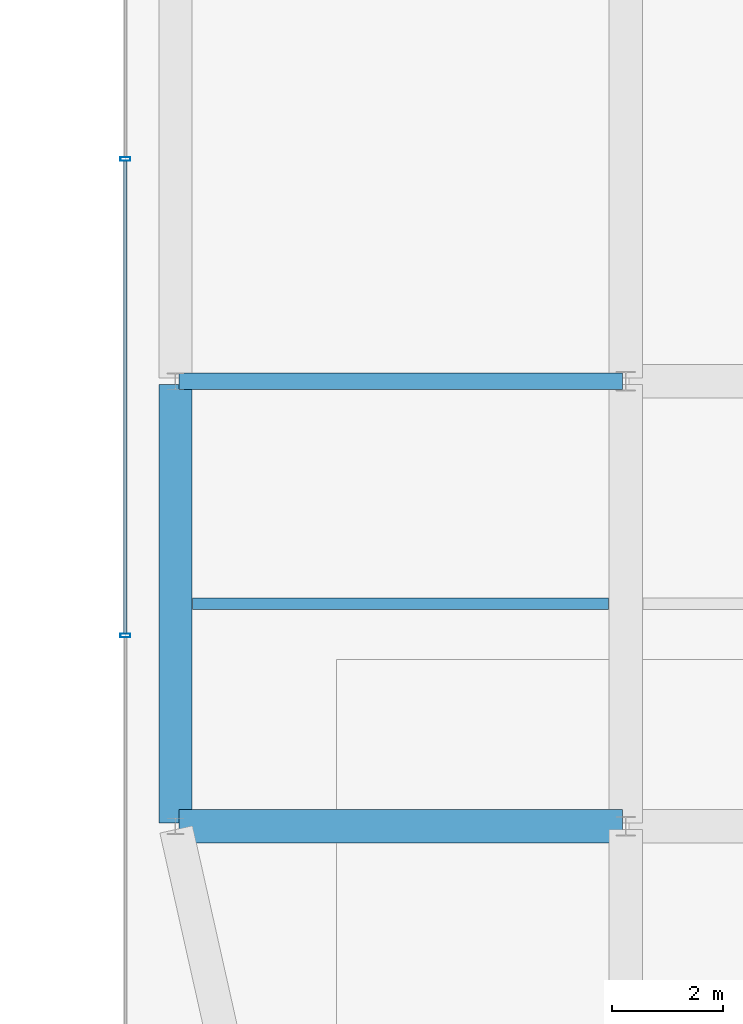
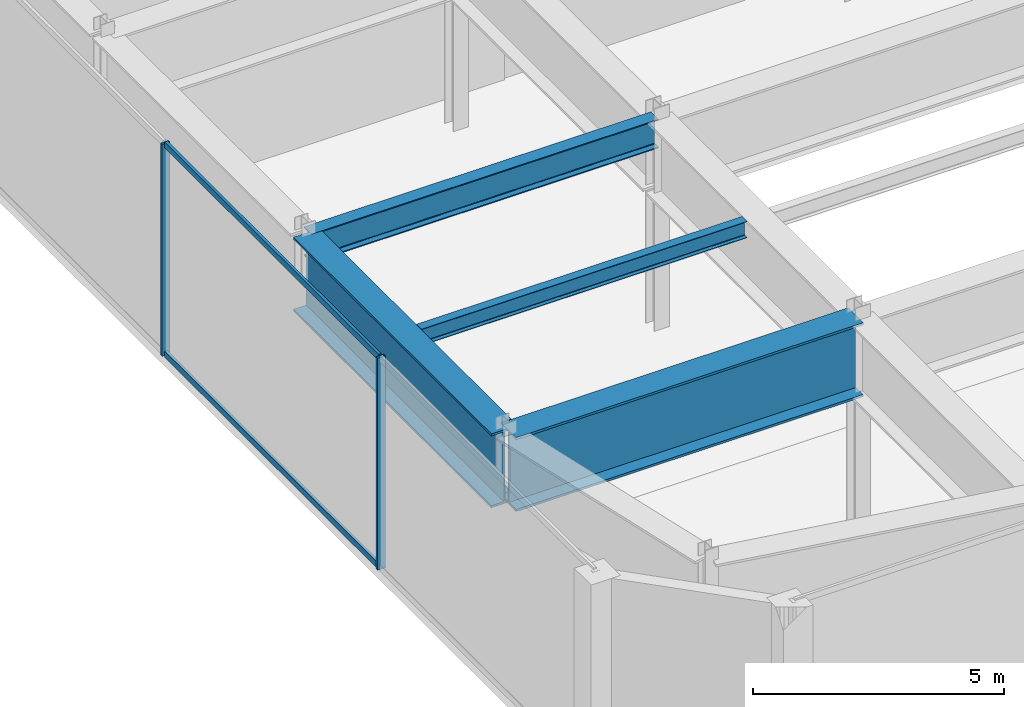
# One storey, part 36 of 53: 4 beams, 4 members, 1 element without a shape of its own.
"""IFC4 building model written with IfcOpenShell, lengths in metres."""

import ifcopenshell
import ifcopenshell.guid

model = None  # the IFC model being written
_history = None  # IfcOwnerHistory: only IFC2X3 demands one
_inside = {}  # id of a spatial element -> (the spatial element, [elements in it])
_under = {}  # id of a project, library or spatial element -> (it, [spatial elements below it])
_declared = {}  # id of a project -> (the project, [libraries it declares])
_typed = {}  # id of a type object -> (the type object, [elements of that type])
_made_of = {}  # id of a material, layer set ... -> (it, [elements and type objects made of it])


def new_model(schema):
    """Start an empty IFC model of exactly this schema.

    Asked for "IFC4X3", IfcOpenShell would pick the latest addendum, in which some entities
    have other attributes; the version numbers below select the first issue.
    IFC2X3 requires an IfcOwnerHistory on every rooted entity: one is made here for all.
    """
    global model, _history
    if schema == "IFC4X3":
        model = ifcopenshell.file(schema_version=(4, 3, 0, 0))
    else:
        model = ifcopenshell.file(schema=schema)
    _inside.clear()
    _under.clear()
    _declared.clear()
    _typed.clear()
    _made_of.clear()
    _history = None
    if model.schema == "IFC2X3":
        org = make("IfcOrganization", Name="unknown")
        user = make(
            "IfcPersonAndOrganization",
            ThePerson=make("IfcPerson", FamilyName="unknown"),
            TheOrganization=org,
        )
        app = make(
            "IfcApplication",
            ApplicationDeveloper=org,
            Version="unknown",
            ApplicationFullName="unknown",
            ApplicationIdentifier="unknown",
        )
        _history = make(
            "IfcOwnerHistory",
            OwningUser=user,
            OwningApplication=app,
            ChangeAction="ADDED",
            CreationDate=0,
        )
    return model


def make(cls, **values):
    """One entity of the class cls with the attributes given. An attribute that is None is left unset."""
    return model.create_entity(
        cls, **{name: value for name, value in values.items() if value is not None}
    )


def rooted(cls, **values):
    """An entity with a GlobalId (a new one), such as an element, a storey or a relation."""
    return make(cls, GlobalId=ifcopenshell.guid.new(), OwnerHistory=_history, **values)


def si_unit(unit_type, name, prefix=None):
    """IfcSIUnit, for example si_unit("LENGTHUNIT", "METRE", prefix="MILLI")."""
    return make("IfcSIUnit", UnitType=unit_type, Prefix=prefix, Name=name)


def assignment(units):
    """IfcUnitAssignment: the units of a project."""
    return None if units is None else make("IfcUnitAssignment", Units=units)


def point(xyz):
    """IfcCartesianPoint."""
    return None if xyz is None else make("IfcCartesianPoint", Coordinates=xyz)


def direction(xyz):
    """IfcDirection."""
    return None if xyz is None else make("IfcDirection", DirectionRatios=xyz)


def frame(location, z_axis=None, x_axis=None):
    """IfcAxis2Placement3D, a coordinate frame: its origin and axes. An axis left out is left unset."""
    return make(
        "IfcAxis2Placement3D",
        Location=point(location),
        Axis=direction(z_axis),
        RefDirection=direction(x_axis),
    )


def frame_2d(location, x_axis=None):
    """IfcAxis2Placement2D, a coordinate frame in the plane: its origin and x axis."""
    return make(
        "IfcAxis2Placement2D", Location=point(location), RefDirection=direction(x_axis)
    )


def origin():
    """The frame at (0, 0, 0) with its axes left unset."""
    return frame((0.0, 0.0, 0.0))


def origin_2d():
    """The frame at (0, 0) in the plane with its x axis left unset."""
    return frame_2d((0.0, 0.0))


def place(relative_to, where):
    """IfcLocalPlacement: puts the frame where relative to a parent placement (None: the world)."""
    return make(
        "IfcLocalPlacement", PlacementRelTo=relative_to, RelativePlacement=where
    )


def context(
    kind, dimensions, precision=None, world=None, true_north=None, identifier=None
):
    """IfcGeometricRepresentationContext, for example the 3D "Model" context."""
    return make(
        "IfcGeometricRepresentationContext",
        ContextIdentifier=identifier,
        ContextType=kind,
        CoordinateSpaceDimension=dimensions,
        Precision=precision,
        WorldCoordinateSystem=world,
        TrueNorth=true_north,
    )


def subcontext(parent, identifier, kind, view, scale=None):
    """IfcGeometricRepresentationSubContext, for example "Body" below "Model"."""
    return make(
        "IfcGeometricRepresentationSubContext",
        ContextIdentifier=identifier,
        ContextType=kind,
        ParentContext=parent,
        TargetScale=scale,
        TargetView=view,
    )


def project(units=None, contexts=None):
    """IfcProject with its units and contexts."""
    return rooted(
        "IfcProject",
        Name="project",
        RepresentationContexts=contexts,
        UnitsInContext=assignment(units),
    )


def spatial(cls, under=None, at=None, **own):
    """A site, building, storey or space (cls), placed at a placement, below another one or the project."""
    s = rooted(cls, ObjectPlacement=at, **own)
    if under is not None:
        _under.setdefault(under.id(), (under, []))[1].append(s)
    return s


def profile(cls, at=None, kind="AREA", **sizes):
    """A parametric profile (cls). Its sizes go by their IFC names, for example OverallWidth=200.0."""
    return make(cls, ProfileType=kind, Position=at, **sizes)


def hollow_rectangle(**sizes):
    """IfcRectangleHollowProfileDef."""
    return profile("IfcRectangleHollowProfileDef", **sizes)


def i_section(**sizes):
    """IfcIShapeProfileDef."""
    return profile("IfcIShapeProfileDef", **sizes)


def extrude(swept, where, along, depth):
    """IfcExtrudedAreaSolid: the profile swept, set in the frame where, extruded along a direction by depth."""
    return make(
        "IfcExtrudedAreaSolid",
        SweptArea=swept,
        Position=where,
        ExtrudedDirection=direction(along),
        Depth=depth,
    )


def shape(context_of_items, identifier, shape_type, items):
    """IfcShapeRepresentation: the items that make up one representation, for example the "Body"."""
    return make(
        "IfcShapeRepresentation",
        ContextOfItems=context_of_items,
        RepresentationIdentifier=identifier,
        RepresentationType=shape_type,
        Items=items,
    )


def material(Name=None, Category=None):
    """IfcMaterial."""
    return make("IfcMaterial", Name=Name, Category=Category)


def material_profile(
    of_material, cross_section, Name=None, Category=None, Priority=None
):
    """IfcMaterialProfile: a cross section and its material."""
    return make(
        "IfcMaterialProfile",
        Name=Name,
        Material=of_material,
        Profile=cross_section,
        Priority=Priority,
        Category=Category,
    )


def profile_set(profiles, Name=None, composite=None):
    """IfcMaterialProfileSet."""
    return make(
        "IfcMaterialProfileSet",
        Name=Name,
        MaterialProfiles=profiles,
        CompositeProfile=composite,
    )


def made_of(thing, what):
    """Note that an element or type object is made of a material, layer set ...; save() writes the relation."""
    if what is not None:
        _made_of.setdefault(what.id(), (what, []))[1].append(thing)
    return thing


def type_object(cls, material=None, **own):
    """A type object (cls), such as IfcWallType, which elements share."""
    return made_of(rooted(cls, **own), material)


def element(
    cls,
    number,
    at=None,
    inside=None,
    cuts=None,
    type_object=None,
    material=None,
    context=None,
    identifier="Body",
    shape_type=None,
    held_by="IfcProductDefinitionShape",
    body=None,
    shapes=None,
    **own,
):
    """One element of the class cls, such as IfcWall. Its Tag is "e" and its number.

    at: its placement. inside: the storey or other place that contains it. cuts: it is an
    opening in that element (IfcRelVoidsElement). A single representation is given by context,
    identifier, shape_type and body (its items); several are given by shapes. held_by: the class
    of the entity that holds the representations. save() writes the other relations.
    """
    e = rooted(cls, Tag="e%d" % number, ObjectPlacement=at, **own)
    if body is not None:
        shapes = [shape(context, identifier, shape_type, body)]
    if shapes is not None:
        e.Representation = make(held_by, Representations=shapes)
    if inside is not None:
        _inside.setdefault(inside.id(), (inside, []))[1].append(e)
    if cuts is not None:
        rooted(
            "IfcRelVoidsElement", RelatingBuildingElement=cuts, RelatedOpeningElement=e
        )
    if type_object is not None:
        _typed.setdefault(type_object.id(), (type_object, []))[1].append(e)
    return made_of(e, material)


def aggregate(whole, parts):
    """IfcRelAggregates: a whole, such as a stair, and the parts it consists of."""
    return rooted("IfcRelAggregates", RelatingObject=whole, RelatedObjects=parts)


def save(model, path):
    """Write the relations noted so far, then the file.

    IfcRelAggregates (storeys below a building ...), IfcRelContainedInSpatialStructure (elements
    in a storey), IfcRelDefinesByType, IfcRelAssociatesMaterial and IfcRelDeclares: one each for
    every whole, place, type object, material and project.
    """
    for whole, parts in _under.values():
        aggregate(whole, parts)
    for where, things in _inside.values():
        rooted(
            "IfcRelContainedInSpatialStructure",
            RelatedElements=things,
            RelatingStructure=where,
        )
    for kind, things in _typed.values():
        rooted("IfcRelDefinesByType", RelatedObjects=things, RelatingType=kind)
    for what, things in _made_of.values():
        rooted("IfcRelAssociatesMaterial", RelatedObjects=things, RelatingMaterial=what)
    for by, libraries in _declared.values():
        rooted("IfcRelDeclares", RelatingContext=by, RelatedDefinitions=libraries)
    model.write(path)


model = new_model("IFC4")

# Units and contexts
model_context = context("Model", 3, precision=1e-05, world=origin(), true_north=direction((0.0, 1.0)))
body_context = subcontext(model_context, "Body", "Model", "MODEL_VIEW")
ifc_project = project(units=[si_unit("LENGTHUNIT", "METRE"), si_unit("AREAUNIT", "SQUARE_METRE"), si_unit("VOLUMEUNIT", "CUBIC_METRE"), si_unit("PLANEANGLEUNIT", "RADIAN"), si_unit("MASSUNIT", "GRAM", prefix="KILO")], contexts=[model_context])

# Site, building, storey
site_placement = place(None, origin())
site = spatial("IfcSite", under=ifc_project, at=site_placement, CompositionType="ELEMENT")
building_placement = place(site_placement, origin())
building = spatial("IfcBuilding", under=site, at=building_placement, Name="Saevonmaru Cultural Tower", CompositionType="ELEMENT")
storey_placement = place(building_placement, frame((0.0, 0.0, 22.199951171875)))
storey = spatial("IfcBuildingStorey", under=building, at=storey_placement, Name="L04", CompositionType="ELEMENT", Elevation=22.199951171875)

# Beams
ifc_material_1 = material(Name="Steel SM355", Category="steel")
ifc_material_profile_1 = material_profile(ifc_material_1, i_section(OverallWidth=0.300048828125, OverallDepth=0.699951171875, WebThickness=0.012939453125, FlangeThickness=0.02392578125, FilletRadius=0.02587890625, at=origin_2d()), Name="H-700x300x13x24")
ifc_profile_set_1 = profile_set([ifc_material_profile_1], Name="Steel SM355")
beam_type_1 = type_object("IfcBeamType", Name="BM-G-H700", PredefinedType="BEAM", material=ifc_profile_set_1)
beam_1_placement = place(storey_placement, frame((73.159912109375, 24.0, 4.75), z_axis=(1.0, 0.0, 0.0), x_axis=(0.0, 1.0, 0.0)))
element("IfcBeam", 1, at=beam_1_placement, inside=storey, type_object=beam_type_1, Name="BM-LIB-EW-3-1-L04", PredefinedType="BEAM", context=body_context, shape_type="SweptSolid", body=[
    extrude(i_section(OverallWidth=0.300048828125, OverallDepth=0.699951171875, WebThickness=0.012939453125, FlangeThickness=0.02392578125, FilletRadius=0.02587890625, at=origin_2d()), origin(), (0.0, 0.0, 1.0), 7.97998046875),
])
ifc_material_profile_2 = material_profile(ifc_material_1, i_section(OverallWidth=0.199951171875, OverallDepth=0.39990234375, WebThickness=0.008056640625, FlangeThickness=0.012939453125, FilletRadius=0.01611328125, at=origin_2d()), Name="H-400x200x8x13")
ifc_profile_set_2 = profile_set([ifc_material_profile_2], Name="Steel SM355")
beam_type_2 = type_object("IfcBeamType", Name="BM-J-H400", PredefinedType="JOIST", material=ifc_profile_set_2)
beam_2_placement = place(storey_placement, frame((73.407958984375, 20.0, 4.900146484375), z_axis=(1.0, 0.0, 0.0), x_axis=(0.0, 1.0, 0.0)))
element("IfcBeam", 2, at=beam_2_placement, inside=storey, type_object=beam_type_2, Name="L04 Library Joist J-2-1", PredefinedType="JOIST", context=body_context, shape_type="SweptSolid", body=[
    extrude(i_section(OverallWidth=0.199951171875, OverallDepth=0.39990234375, WebThickness=0.008056640625, FlangeThickness=0.012939453125, FilletRadius=0.01611328125, at=origin_2d()), origin(), (0.0, 0.0, 1.0), 7.484130859375),
])
ifc_material_2 = material(Name="Steel HSA600 (600 MPa)", Category="steel")
ifc_material_profile_3 = material_profile(ifc_material_2, i_section(OverallWidth=0.60009765625, OverallDepth=1.800048828125, WebThickness=0.028076171875, FlangeThickness=0.054931640625, at=origin_2d()), Name="PG-1800x600x28x55")
ifc_profile_set_3 = profile_set([ifc_material_profile_3], Name="Steel HSA600 (600 MPa)")
beam_type_3 = type_object("IfcBeamType", Name="BM-TG-PG1800", PredefinedType="BEAM", material=ifc_profile_set_3)
beam_3_placement = place(storey_placement, frame((73.159912109375, 16.0, 4.199951171875), z_axis=(1.0, 0.0, 0.0), x_axis=(0.0, 1.0, 0.0)))
element("IfcBeam", 3, at=beam_3_placement, inside=storey, type_object=beam_type_3, Name="L04 Library Girder EW-2-1", PredefinedType="BEAM", context=body_context, shape_type="SweptSolid", body=[
    extrude(i_section(OverallWidth=0.60009765625, OverallDepth=1.800048828125, WebThickness=0.028076171875, FlangeThickness=0.054931640625, at=origin_2d()), origin(), (0.0, 0.0, 1.0), 7.97998046875),
])
beam_4_placement = place(storey_placement, frame((73.10009765625, 16.06005859375, 4.199951171875), z_axis=(0.0, 1.0, 0.0), x_axis=(-1.0, 0.0, 0.0)))
element("IfcBeam", 4, at=beam_4_placement, inside=storey, type_object=beam_type_3, Name="L04 Library Girder NS-1-2", PredefinedType="BEAM", context=body_context, shape_type="SweptSolid", body=[
    extrude(i_section(OverallWidth=0.60009765625, OverallDepth=1.800048828125, WebThickness=0.028076171875, FlangeThickness=0.054931640625, at=origin_2d()), origin(), (0.0, 0.0, 1.0), 7.8798828125),
])

# Curtain wall, members
ifc_material_3 = material(Name="Satin Bronze Anodised Aluminium", Category="aluminium")
curtain_wall_type = type_object("IfcCurtainWallType", Name="CW-LIB-GLZ", PredefinedType="NOTDEFINED", material=ifc_material_3)
curtain_wall_placement = place(storey_placement, origin())
curtain_wall = element("IfcCurtainWall", 5, at=curtain_wall_placement, inside=storey, type_object=curtain_wall_type, Name="L04 Central Library Reading Hall Curtain Wall 8", PredefinedType="NOTDEFINED")
ifc_material_profile_4 = material_profile(ifc_material_3, hollow_rectangle(XDim=0.06494140625, YDim=0.179931640625, WallThickness=0.00390625, at=origin_2d()), Name="ALU-MULL-180x65x4")
ifc_profile_set_4 = profile_set([ifc_material_profile_4], Name="Satin Bronze Anodised Aluminium")
member_type_1 = type_object("IfcMemberType", Name="ML-CW-180x65", PredefinedType="MULLION", material=ifc_profile_set_4)
member_1_placement = place(storey_placement, frame((72.199951171875, 28.0, 0.0), z_axis=(0.0, 0.0, 1.0), x_axis=(0.0, -1.0, 0.0)))
member_1 = element("IfcMember", 6, at=member_1_placement, type_object=member_type_1, Name="CW-LIB-8-L04 mullion 3", PredefinedType="MULLION", context=body_context, shape_type="SweptSolid", body=[
    extrude(hollow_rectangle(XDim=0.06494140625, YDim=0.179931640625, WallThickness=0.00390625, at=origin_2d()), origin(), (0.0, 0.0, 1.0), 5.150146484375),
])
member_2_placement = place(storey_placement, frame((72.199951171875, 19.429931640625, 0.0), z_axis=(0.0, 0.0, 1.0), x_axis=(0.0, -1.0, 0.0)))
member_2 = element("IfcMember", 7, at=member_2_placement, type_object=member_type_1, Name="CW-LIB-8-L04 mullion 4", PredefinedType="MULLION", context=body_context, shape_type="SweptSolid", body=[
    extrude(hollow_rectangle(XDim=0.06494140625, YDim=0.179931640625, WallThickness=0.00390625, at=origin_2d()), origin(), (0.0, 0.0, 1.0), 5.150146484375),
])
ifc_material_profile_5 = material_profile(ifc_material_3, hollow_rectangle(XDim=0.06494140625, YDim=0.14990234375, WallThickness=0.00390625, at=origin_2d()), Name="ALU-TRAN-150x65x4")
ifc_profile_set_5 = profile_set([ifc_material_profile_5], Name="Satin Bronze Anodised Aluminium")
member_type_2 = type_object("IfcMemberType", Name="TR-CW-150x65", PredefinedType="USERDEFINED", material=ifc_profile_set_5)
member_3_placement = place(storey_placement, frame((72.199951171875, 27.967529296875, 0.032470703125), z_axis=(0.0, -1.0, 0.0), x_axis=(1.0, 0.0, 0.0)))
member_3 = element("IfcMember", 8, at=member_3_placement, type_object=member_type_2, Name="CW-LIB-8-L04 transom 3.1", ObjectType="TRANSOM", PredefinedType="USERDEFINED", context=body_context, shape_type="SweptSolid", body=[
    extrude(hollow_rectangle(XDim=0.06494140625, YDim=0.14990234375, WallThickness=0.00390625, at=origin_2d()), origin(), (0.0, 0.0, 1.0), 8.505126953125),
])
member_4_placement = place(storey_placement, frame((72.199951171875, 27.967529296875, 5.117431640625), z_axis=(0.0, -1.0, 0.0), x_axis=(1.0, 0.0, 0.0)))
member_4 = element("IfcMember", 9, at=member_4_placement, type_object=member_type_2, Name="CW-LIB-8-L04 transom 3.2", ObjectType="TRANSOM", PredefinedType="USERDEFINED", context=body_context, shape_type="SweptSolid", body=[
    extrude(hollow_rectangle(XDim=0.06494140625, YDim=0.14990234375, WallThickness=0.00390625, at=origin_2d()), origin(), (0.0, 0.0, 1.0), 8.505126953125),
])
aggregate(curtain_wall, [member_1, member_2, member_3, member_4])

save(model, "model.ifc")
